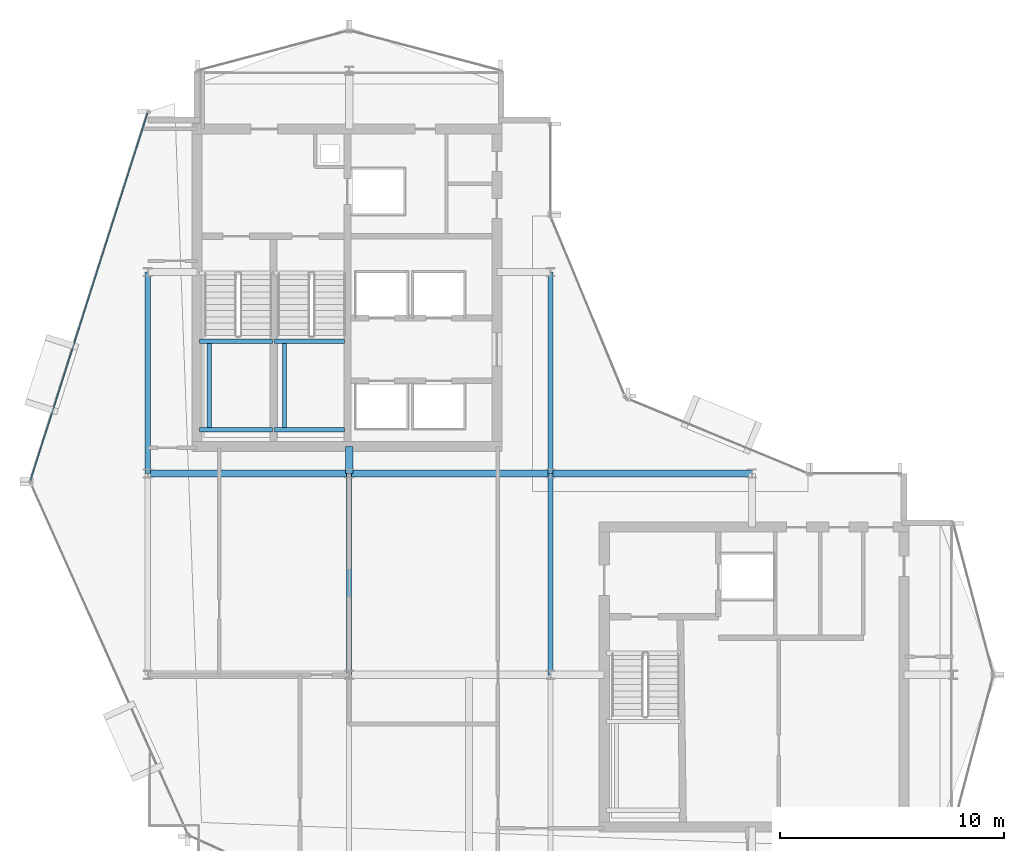
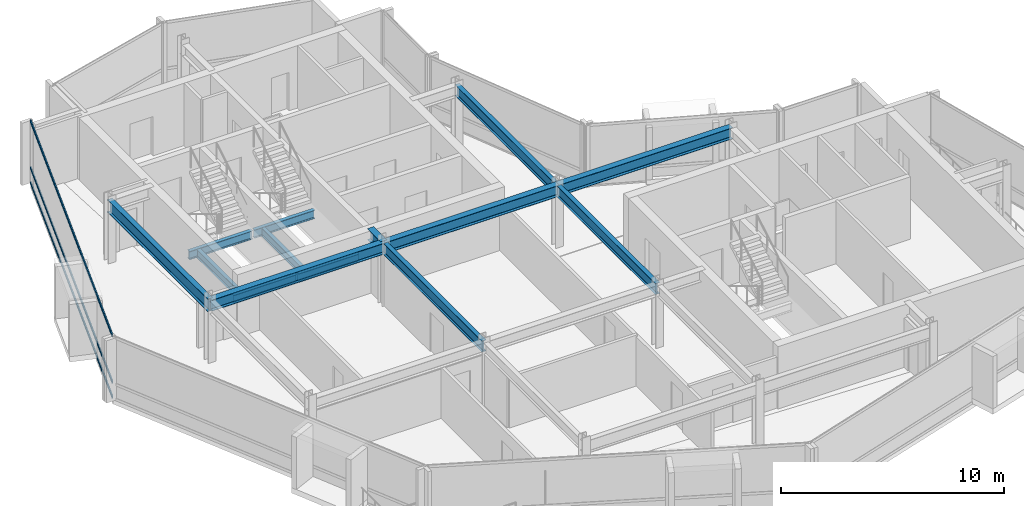
# One storey, part 7 of 19: 14 beams, 3 members, 1 element without a shape of its own.
"""IFC4 building model written with IfcOpenShell, lengths in metres."""

import ifcopenshell
import ifcopenshell.guid

model = None  # the IFC model being written
_history = None  # IfcOwnerHistory: only IFC2X3 demands one
_inside = {}  # id of a spatial element -> (the spatial element, [elements in it])
_under = {}  # id of a project, library or spatial element -> (it, [spatial elements below it])
_declared = {}  # id of a project -> (the project, [libraries it declares])
_typed = {}  # id of a type object -> (the type object, [elements of that type])
_made_of = {}  # id of a material, layer set ... -> (it, [elements and type objects made of it])


def new_model(schema):
    """Start an empty IFC model of exactly this schema.

    Asked for "IFC4X3", IfcOpenShell would pick the latest addendum, in which some entities
    have other attributes; the version numbers below select the first issue.
    IFC2X3 requires an IfcOwnerHistory on every rooted entity: one is made here for all.
    """
    global model, _history
    if schema == "IFC4X3":
        model = ifcopenshell.file(schema_version=(4, 3, 0, 0))
    else:
        model = ifcopenshell.file(schema=schema)
    _inside.clear()
    _under.clear()
    _declared.clear()
    _typed.clear()
    _made_of.clear()
    _history = None
    if model.schema == "IFC2X3":
        org = make("IfcOrganization", Name="unknown")
        user = make(
            "IfcPersonAndOrganization",
            ThePerson=make("IfcPerson", FamilyName="unknown"),
            TheOrganization=org,
        )
        app = make(
            "IfcApplication",
            ApplicationDeveloper=org,
            Version="unknown",
            ApplicationFullName="unknown",
            ApplicationIdentifier="unknown",
        )
        _history = make(
            "IfcOwnerHistory",
            OwningUser=user,
            OwningApplication=app,
            ChangeAction="ADDED",
            CreationDate=0,
        )
    return model


def make(cls, **values):
    """One entity of the class cls with the attributes given. An attribute that is None is left unset."""
    return model.create_entity(
        cls, **{name: value for name, value in values.items() if value is not None}
    )


def rooted(cls, **values):
    """An entity with a GlobalId (a new one), such as an element, a storey or a relation."""
    return make(cls, GlobalId=ifcopenshell.guid.new(), OwnerHistory=_history, **values)


def si_unit(unit_type, name, prefix=None):
    """IfcSIUnit, for example si_unit("LENGTHUNIT", "METRE", prefix="MILLI")."""
    return make("IfcSIUnit", UnitType=unit_type, Prefix=prefix, Name=name)


def assignment(units):
    """IfcUnitAssignment: the units of a project."""
    return None if units is None else make("IfcUnitAssignment", Units=units)


def point(xyz):
    """IfcCartesianPoint."""
    return None if xyz is None else make("IfcCartesianPoint", Coordinates=xyz)


def direction(xyz):
    """IfcDirection."""
    return None if xyz is None else make("IfcDirection", DirectionRatios=xyz)


def frame(location, z_axis=None, x_axis=None):
    """IfcAxis2Placement3D, a coordinate frame: its origin and axes. An axis left out is left unset."""
    return make(
        "IfcAxis2Placement3D",
        Location=point(location),
        Axis=direction(z_axis),
        RefDirection=direction(x_axis),
    )


def frame_2d(location, x_axis=None):
    """IfcAxis2Placement2D, a coordinate frame in the plane: its origin and x axis."""
    return make(
        "IfcAxis2Placement2D", Location=point(location), RefDirection=direction(x_axis)
    )


def origin():
    """The frame at (0, 0, 0) with its axes left unset."""
    return frame((0.0, 0.0, 0.0))


def origin_2d():
    """The frame at (0, 0) in the plane with its x axis left unset."""
    return frame_2d((0.0, 0.0))


def place(relative_to, where):
    """IfcLocalPlacement: puts the frame where relative to a parent placement (None: the world)."""
    return make(
        "IfcLocalPlacement", PlacementRelTo=relative_to, RelativePlacement=where
    )


def context(
    kind, dimensions, precision=None, world=None, true_north=None, identifier=None
):
    """IfcGeometricRepresentationContext, for example the 3D "Model" context."""
    return make(
        "IfcGeometricRepresentationContext",
        ContextIdentifier=identifier,
        ContextType=kind,
        CoordinateSpaceDimension=dimensions,
        Precision=precision,
        WorldCoordinateSystem=world,
        TrueNorth=true_north,
    )


def subcontext(parent, identifier, kind, view, scale=None):
    """IfcGeometricRepresentationSubContext, for example "Body" below "Model"."""
    return make(
        "IfcGeometricRepresentationSubContext",
        ContextIdentifier=identifier,
        ContextType=kind,
        ParentContext=parent,
        TargetScale=scale,
        TargetView=view,
    )


def project(units=None, contexts=None):
    """IfcProject with its units and contexts."""
    return rooted(
        "IfcProject",
        Name="project",
        RepresentationContexts=contexts,
        UnitsInContext=assignment(units),
    )


def spatial(cls, under=None, at=None, **own):
    """A site, building, storey or space (cls), placed at a placement, below another one or the project."""
    s = rooted(cls, ObjectPlacement=at, **own)
    if under is not None:
        _under.setdefault(under.id(), (under, []))[1].append(s)
    return s


def profile(cls, at=None, kind="AREA", **sizes):
    """A parametric profile (cls). Its sizes go by their IFC names, for example OverallWidth=200.0."""
    return make(cls, ProfileType=kind, Position=at, **sizes)


def hollow_rectangle(**sizes):
    """IfcRectangleHollowProfileDef."""
    return profile("IfcRectangleHollowProfileDef", **sizes)


def i_section(**sizes):
    """IfcIShapeProfileDef."""
    return profile("IfcIShapeProfileDef", **sizes)


def extrude(swept, where, along, depth):
    """IfcExtrudedAreaSolid: the profile swept, set in the frame where, extruded along a direction by depth."""
    return make(
        "IfcExtrudedAreaSolid",
        SweptArea=swept,
        Position=where,
        ExtrudedDirection=direction(along),
        Depth=depth,
    )


def shape(context_of_items, identifier, shape_type, items):
    """IfcShapeRepresentation: the items that make up one representation, for example the "Body"."""
    return make(
        "IfcShapeRepresentation",
        ContextOfItems=context_of_items,
        RepresentationIdentifier=identifier,
        RepresentationType=shape_type,
        Items=items,
    )


def material(Name=None, Category=None):
    """IfcMaterial."""
    return make("IfcMaterial", Name=Name, Category=Category)


def layer(
    of_material, thickness, ventilated=None, Name=None, Category=None, Priority=None
):
    """IfcMaterialLayer: one layer of a wall or slab, of a material (None: an air gap)."""
    return make(
        "IfcMaterialLayer",
        Material=of_material,
        LayerThickness=thickness,
        IsVentilated=ventilated,
        Name=Name,
        Category=Category,
        Priority=Priority,
    )


def layer_set(layers, Name=None):
    """IfcMaterialLayerSet."""
    return make("IfcMaterialLayerSet", MaterialLayers=layers, LayerSetName=Name)


def material_profile(
    of_material, cross_section, Name=None, Category=None, Priority=None
):
    """IfcMaterialProfile: a cross section and its material."""
    return make(
        "IfcMaterialProfile",
        Name=Name,
        Material=of_material,
        Profile=cross_section,
        Priority=Priority,
        Category=Category,
    )


def profile_set(profiles, Name=None, composite=None):
    """IfcMaterialProfileSet."""
    return make(
        "IfcMaterialProfileSet",
        Name=Name,
        MaterialProfiles=profiles,
        CompositeProfile=composite,
    )


def made_of(thing, what):
    """Note that an element or type object is made of a material, layer set ...; save() writes the relation."""
    if what is not None:
        _made_of.setdefault(what.id(), (what, []))[1].append(thing)
    return thing


def type_object(cls, material=None, **own):
    """A type object (cls), such as IfcWallType, which elements share."""
    return made_of(rooted(cls, **own), material)


def element(
    cls,
    number,
    at=None,
    inside=None,
    cuts=None,
    type_object=None,
    material=None,
    context=None,
    identifier="Body",
    shape_type=None,
    held_by="IfcProductDefinitionShape",
    body=None,
    shapes=None,
    **own,
):
    """One element of the class cls, such as IfcWall. Its Tag is "e" and its number.

    at: its placement. inside: the storey or other place that contains it. cuts: it is an
    opening in that element (IfcRelVoidsElement). A single representation is given by context,
    identifier, shape_type and body (its items); several are given by shapes. held_by: the class
    of the entity that holds the representations. save() writes the other relations.
    """
    e = rooted(cls, Tag="e%d" % number, ObjectPlacement=at, **own)
    if body is not None:
        shapes = [shape(context, identifier, shape_type, body)]
    if shapes is not None:
        e.Representation = make(held_by, Representations=shapes)
    if inside is not None:
        _inside.setdefault(inside.id(), (inside, []))[1].append(e)
    if cuts is not None:
        rooted(
            "IfcRelVoidsElement", RelatingBuildingElement=cuts, RelatedOpeningElement=e
        )
    if type_object is not None:
        _typed.setdefault(type_object.id(), (type_object, []))[1].append(e)
    return made_of(e, material)


def aggregate(whole, parts):
    """IfcRelAggregates: a whole, such as a stair, and the parts it consists of."""
    return rooted("IfcRelAggregates", RelatingObject=whole, RelatedObjects=parts)


def save(model, path):
    """Write the relations noted so far, then the file.

    IfcRelAggregates (storeys below a building ...), IfcRelContainedInSpatialStructure (elements
    in a storey), IfcRelDefinesByType, IfcRelAssociatesMaterial and IfcRelDeclares: one each for
    every whole, place, type object, material and project.
    """
    for whole, parts in _under.values():
        aggregate(whole, parts)
    for where, things in _inside.values():
        rooted(
            "IfcRelContainedInSpatialStructure",
            RelatedElements=things,
            RelatingStructure=where,
        )
    for kind, things in _typed.values():
        rooted("IfcRelDefinesByType", RelatedObjects=things, RelatingType=kind)
    for what, things in _made_of.values():
        rooted("IfcRelAssociatesMaterial", RelatedObjects=things, RelatingMaterial=what)
    for by, libraries in _declared.values():
        rooted("IfcRelDeclares", RelatingContext=by, RelatedDefinitions=libraries)
    model.write(path)


model = new_model("IFC4")

# Units and contexts
model_context = context("Model", 3, precision=1e-05, world=origin(), true_north=direction((0.0, 1.0)))
body_context = subcontext(model_context, "Body", "Model", "MODEL_VIEW")
ifc_project = project(units=[si_unit("LENGTHUNIT", "METRE"), si_unit("AREAUNIT", "SQUARE_METRE"), si_unit("VOLUMEUNIT", "CUBIC_METRE"), si_unit("PLANEANGLEUNIT", "RADIAN"), si_unit("MASSUNIT", "GRAM", prefix="KILO")], contexts=[model_context])

# Site, building, storey
site_placement = place(None, origin())
site = spatial("IfcSite", under=ifc_project, at=site_placement, CompositionType="ELEMENT")
building_placement = place(site_placement, origin())
building = spatial("IfcBuilding", under=site, at=building_placement, Name="Solvaryn Broadcast Tower", CompositionType="ELEMENT")
storey_placement = place(building_placement, frame((0.0, 0.0, 263.0)))
storey = spatial("IfcBuildingStorey", under=building, at=storey_placement, Name="L66", CompositionType="ELEMENT", Elevation=263.0)

# Beams
ifc_material_1 = material(Name="Steel ASTM A992 Grade 50", Category="steel")
ifc_material_profile_1 = material_profile(ifc_material_1, i_section(OverallWidth=0.323974609375, OverallDepth=0.611083984375, WebThickness=0.0126953125, FlangeThickness=0.01904296875, FilletRadius=0.014892578125, at=origin_2d()))
ifc_profile_set_1 = profile_set([ifc_material_profile_1], Name="Steel ASTM A992 Grade 50")
beam_type_1 = type_object("IfcBeamType", Name="BM-B1-W24X104", PredefinedType="BEAM", material=ifc_profile_set_1)
for number, where, z_axis, x_axis, name in (
    (1, (9.0, 27.0, 3.114501953125), (1.0, 0.0, 0.0), (0.0, 1.0, 0.0), "L66 Primary Beam X (9-18 @ Y=27)"),
    (2, (18.0, 27.0, 3.114501953125), (1.0, 0.0, 0.0), (0.0, 1.0, 0.0), "L66 Primary Beam X (18-27 @ Y=27)"),
    (3, (27.0, 27.0, 3.114501953125), (1.0, 0.0, 0.0), (0.0, 1.0, 0.0), "L66 Primary Beam X (27-36 @ Y=27)"),
):
    element("IfcBeam", number, at=place(storey_placement, frame(where, z_axis=z_axis, x_axis=x_axis)), inside=storey, type_object=beam_type_1, Name=name, PredefinedType="BEAM", context=body_context, shape_type="SweptSolid", body=[
        extrude(i_section(OverallWidth=0.323974609375, OverallDepth=0.611083984375, WebThickness=0.0126953125, FlangeThickness=0.01904296875, FilletRadius=0.014892578125, at=origin_2d()), origin(), (0.0, 0.0, 1.0), 9.0),
    ])
beam_1_placement = place(storey_placement, frame((18.0, 27.0, 3.114501953125), z_axis=(0.0, 1.0, 0.0), x_axis=(-1.0, 0.0, 0.0)))
element("IfcBeam", 4, at=beam_1_placement, inside=storey, type_object=beam_type_1, Name="L66 Core Tie Beam CTW4", PredefinedType="BEAM", context=body_context, shape_type="SweptSolid", body=[
    extrude(i_section(OverallWidth=0.323974609375, OverallDepth=0.611083984375, WebThickness=0.0126953125, FlangeThickness=0.01904296875, FilletRadius=0.014892578125, at=origin_2d()), origin(), (0.0, 0.0, 1.0), 1.199951171875),
])
ifc_material_2 = material(Name="Steel ASTM A992 Grade 50", Category="steel")
ifc_material_profile_2 = material_profile(ifc_material_2, i_section(OverallWidth=0.22802734375, OverallDepth=0.60791015625, WebThickness=0.01123046875, FlangeThickness=0.017333984375, FilletRadius=0.014892578125, at=origin_2d()))
ifc_profile_set_2 = profile_set([ifc_material_profile_2], Name="Steel ASTM A992 Grade 50")
beam_type_2 = type_object("IfcBeamType", Name="BM-B2-W24X76", PredefinedType="BEAM", material=ifc_profile_set_2)
for number, where, z_axis, x_axis, name in (
    (5, (18.0, 18.0, 3.115966796875), (0.0, 1.0, 0.0), (-1.0, 0.0, 0.0), "L66 Primary Beam Y (18-27 @ X=18)"),
    (6, (27.0, 18.0, 3.115966796875), (0.0, 1.0, 0.0), (-1.0, 0.0, 0.0), "L66 Primary Beam Y (18-27 @ X=27)"),
    (7, (27.0, 27.0, 3.115966796875), (0.0, 1.0, 0.0), (-1.0, 0.0, 0.0), "L66 Primary Beam Y (27-36 @ X=27)"),
):
    element("IfcBeam", number, at=place(storey_placement, frame(where, z_axis=z_axis, x_axis=x_axis)), inside=storey, type_object=beam_type_2, Name=name, PredefinedType="BEAM", context=body_context, shape_type="SweptSolid", body=[
        extrude(i_section(OverallWidth=0.22802734375, OverallDepth=0.60791015625, WebThickness=0.01123046875, FlangeThickness=0.017333984375, FilletRadius=0.014892578125, at=origin_2d()), origin(), (0.0, 0.0, 1.0), 9.0),
    ])
ifc_material_3 = material(Name="Steel ASTM A992 Grade 50", Category="steel")
ifc_material_profile_3 = material_profile(ifc_material_3, i_section(OverallWidth=0.18994140625, OverallDepth=0.45703125, WebThickness=0.009033203125, FlangeThickness=0.014404296875, FilletRadius=0.011962890625, at=origin_2d()))
ifc_profile_set_3 = profile_set([ifc_material_profile_3], Name="Steel ASTM A992 Grade 50")
beam_type_3 = type_object("IfcBeamType", Name="BM-B4-W18X50", PredefinedType="BEAM", material=ifc_profile_set_3)
for number, where, z_axis, x_axis, name in (
    (8, (11.300048828125, 28.949951171875, 1.42138671875), (1.0, 0.0, 0.0), (0.0, 1.0, 0.0), "L66 ST1 Landing Support Beam 1A"),
    (9, (11.300048828125, 32.909912109375, 1.42138671875), (1.0, 0.0, 0.0), (0.0, 1.0, 0.0), "L66 ST1 Landing Support Beam 1B"),
):
    element("IfcBeam", number, at=place(storey_placement, frame(where, z_axis=z_axis, x_axis=x_axis)), inside=storey, type_object=beam_type_3, Name=name, PredefinedType="BEAM", context=body_context, shape_type="SweptSolid", body=[
        extrude(i_section(OverallWidth=0.18994140625, OverallDepth=0.45703125, WebThickness=0.009033203125, FlangeThickness=0.014404296875, FilletRadius=0.011962890625, at=origin_2d()), origin(), (0.0, 0.0, 1.0), 3.280029296875),
    ])
beam_2_placement = place(storey_placement, frame((11.75, 28.949951171875, 1.42138671875), z_axis=(0.0, 1.0, 0.0), x_axis=(-1.0, 0.0, 0.0)))
element("IfcBeam", 10, at=beam_2_placement, inside=storey, type_object=beam_type_3, Name="L66 ST1 Landing Cross Stringer 1C", PredefinedType="BEAM", context=body_context, shape_type="SweptSolid", body=[
    extrude(i_section(OverallWidth=0.18994140625, OverallDepth=0.45703125, WebThickness=0.009033203125, FlangeThickness=0.014404296875, FilletRadius=0.011962890625, at=origin_2d()), origin(), (0.0, 0.0, 1.0), 3.9599609375),
])
for number, where, z_axis, x_axis, name in (
    (11, (14.659912109375, 28.949951171875, 1.42138671875), (1.0, 0.0, 0.0), (0.0, 1.0, 0.0), "L66 ST2 Landing Support Beam 1A"),
    (12, (14.659912109375, 32.909912109375, 1.42138671875), (1.0, 0.0, 0.0), (0.0, 1.0, 0.0), "L66 ST2 Landing Support Beam 1B"),
):
    element("IfcBeam", number, at=place(storey_placement, frame(where, z_axis=z_axis, x_axis=x_axis)), inside=storey, type_object=beam_type_3, Name=name, PredefinedType="BEAM", context=body_context, shape_type="SweptSolid", body=[
        extrude(i_section(OverallWidth=0.18994140625, OverallDepth=0.45703125, WebThickness=0.009033203125, FlangeThickness=0.014404296875, FilletRadius=0.011962890625, at=origin_2d()), origin(), (0.0, 0.0, 1.0), 3.14013671875),
    ])
beam_3_placement = place(storey_placement, frame((15.110107421875, 28.949951171875, 1.42138671875), z_axis=(0.0, 1.0, 0.0), x_axis=(-1.0, 0.0, 0.0)))
element("IfcBeam", 13, at=beam_3_placement, inside=storey, type_object=beam_type_3, Name="L66 ST2 Landing Cross Stringer 1C", PredefinedType="BEAM", context=body_context, shape_type="SweptSolid", body=[
    extrude(i_section(OverallWidth=0.18994140625, OverallDepth=0.45703125, WebThickness=0.009033203125, FlangeThickness=0.014404296875, FilletRadius=0.011962890625, at=origin_2d()), origin(), (0.0, 0.0, 1.0), 3.9599609375),
])
ifc_material_4 = material(Name="Steel ASTM A992 Grade 50", Category="steel")
ifc_material_profile_4 = material_profile(ifc_material_4, i_section(OverallWidth=0.256103515625, OverallDepth=0.693115234375, WebThickness=0.014404296875, FlangeThickness=0.023681640625, FilletRadius=0.01611328125, at=origin_2d()))
ifc_profile_set_4 = profile_set([ifc_material_profile_4], Name="Steel ASTM A992 Grade 50")
beam_type_4 = type_object("IfcBeamType", Name="BM-SP3-W27X114", PredefinedType="USERDEFINED", material=ifc_profile_set_4)
beam_4_placement = place(storey_placement, frame((9.0, 27.0, 3.073486328125), z_axis=(0.0, 1.0, 0.0), x_axis=(-1.0, 0.0, 0.0)))
element("IfcBeam", 14, at=beam_4_placement, inside=storey, type_object=beam_type_4, Name="L66 Spandrel Beam Y (27-36 @ X=9)", ObjectType="SPANDREL", PredefinedType="USERDEFINED", context=body_context, shape_type="SweptSolid", body=[
    extrude(i_section(OverallWidth=0.256103515625, OverallDepth=0.693115234375, WebThickness=0.014404296875, FlangeThickness=0.023681640625, FilletRadius=0.01611328125, at=origin_2d()), origin(), (0.0, 0.0, 1.0), 9.0),
])

# Curtain wall, members
ifc_material_5 = material(Name="Aluminium and Terracotta Unitised Curtain Wall", Category="masonry")
ifc_layer = layer(ifc_material_5, 0.199951171875)
ifc_layer_set = layer_set([ifc_layer], Name="CW-SYS2-LOWMID")
curtain_wall_type = type_object("IfcCurtainWallType", Name="CW-SYS2-LOWMID", PredefinedType="NOTDEFINED", material=ifc_layer_set)
curtain_wall_placement = place(storey_placement, origin())
curtain_wall = element("IfcCurtainWall", 15, at=curtain_wall_placement, inside=storey, type_object=curtain_wall_type, Name="L66 Curtain Wall DR1", PredefinedType="NOTDEFINED")
ifc_material_6 = material(Name="Anodised Aluminium 6063-T6", Category="aluminium")
ifc_material_profile_5 = material_profile(ifc_material_6, hollow_rectangle(XDim=0.06494140625, YDim=0.14990234375, WallThickness=0.00390625, InnerFilletRadius=0.00390625, OuterFilletRadius=0.008056640625, at=origin_2d()))
ifc_profile_set_5 = profile_set([ifc_material_profile_5], Name="Anodised Aluminium 6063-T6")
member_type = type_object("IfcMemberType", Name="CW-TRN-150", PredefinedType="USERDEFINED", material=ifc_profile_set_5)
member_1_placement = place(storey_placement, frame((8.981689453125, 43.091796875, 0.030029296875), z_axis=(-0.303616405252, -0.952794352661, 0.0), x_axis=(0.952794352661, -0.303616405252, 0.0)))
member_1 = element("IfcMember", 16, at=member_1_placement, type_object=member_type, Name="CWS2 transom 1.1", ObjectType="TRANSOM", PredefinedType="USERDEFINED", context=body_context, shape_type="SweptSolid", body=[
    extrude(hollow_rectangle(XDim=0.06494140625, YDim=0.14990234375, WallThickness=0.00390625, InnerFilletRadius=0.00390625, OuterFilletRadius=0.008056640625, at=origin_2d()), origin(), (0.0, 0.0, 1.0), 17.211181640625),
])
member_2_placement = place(storey_placement, frame((8.981689453125, 43.091796875, 0.85009765625), z_axis=(-0.303616405252, -0.952794352661, 0.0), x_axis=(0.952794352661, -0.303616405252, 0.0)))
member_2 = element("IfcMember", 17, at=member_2_placement, type_object=member_type, Name="CWS2 transom 1.2", ObjectType="TRANSOM", PredefinedType="USERDEFINED", context=body_context, shape_type="SweptSolid", body=[
    extrude(hollow_rectangle(XDim=0.06494140625, YDim=0.14990234375, WallThickness=0.00390625, InnerFilletRadius=0.00390625, OuterFilletRadius=0.008056640625, at=origin_2d()), origin(), (0.0, 0.0, 1.0), 17.211181640625),
])
member_3_placement = place(storey_placement, frame((8.981689453125, 43.091796875, 3.389892578125), z_axis=(-0.303616405252, -0.952794352661, 0.0), x_axis=(0.952794352661, -0.303616405252, 0.0)))
member_3 = element("IfcMember", 18, at=member_3_placement, type_object=member_type, Name="CWS2 transom 1.3", ObjectType="TRANSOM", PredefinedType="USERDEFINED", context=body_context, shape_type="SweptSolid", body=[
    extrude(hollow_rectangle(XDim=0.06494140625, YDim=0.14990234375, WallThickness=0.00390625, InnerFilletRadius=0.00390625, OuterFilletRadius=0.008056640625, at=origin_2d()), origin(), (0.0, 0.0, 1.0), 17.211181640625),
])
aggregate(curtain_wall, [member_1, member_2, member_3])

save(model, "model.ifc")
